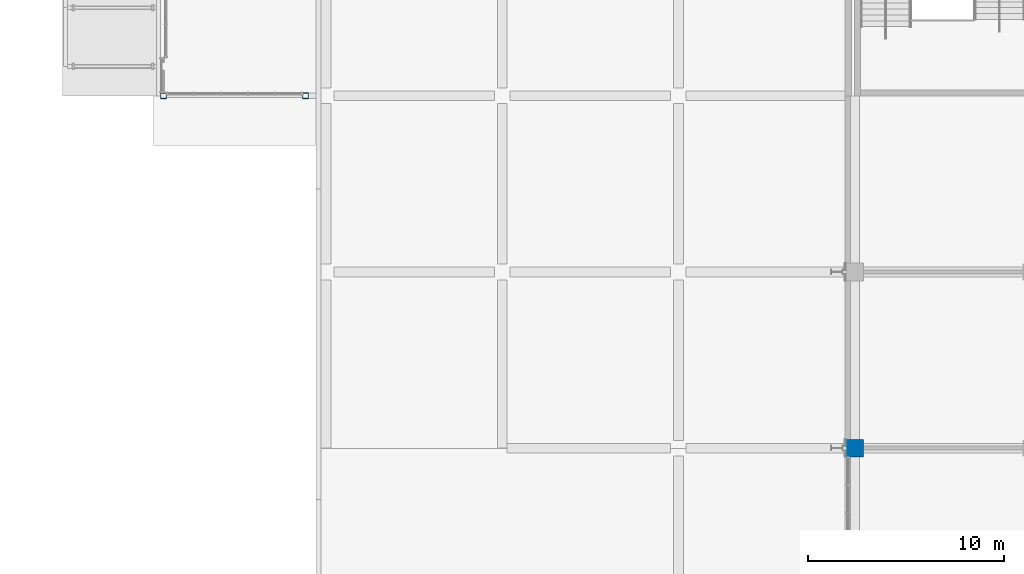
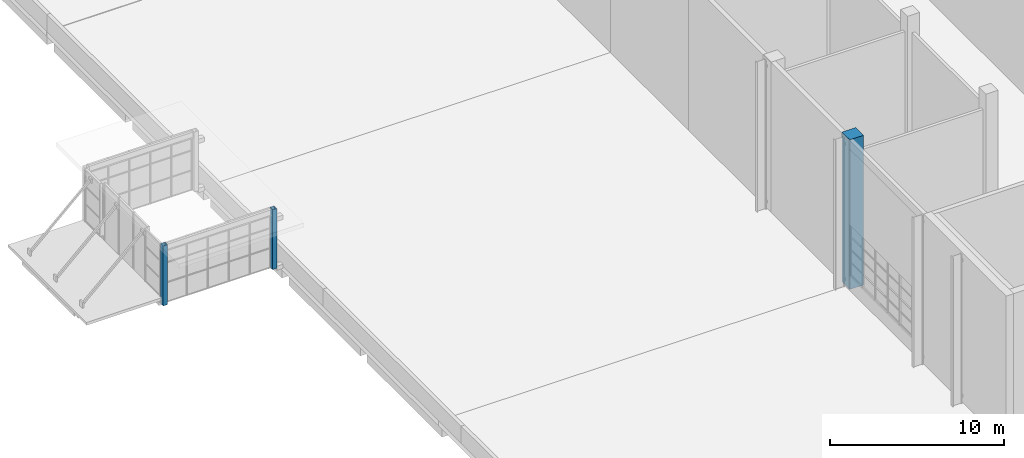
# One storey, part 1 of 182: 3 columns.
"""IFC4 building model written with IfcOpenShell, lengths in metres."""

from ifc_helpers import new_model, si_unit, direction, frame, origin, origin_2d, place, context, subcontext, project, spatial, rectangle, hollow_rectangle, extrude, material, material_profile, profile_set, type_object, element, save


model = new_model("IFC4")

# Units and contexts
model_context = context("Model", 3, precision=1e-05, world=origin(), true_north=direction((0.0, 1.0)))
body_context = subcontext(model_context, "Body", "Model", "MODEL_VIEW")
ifc_project = project(units=[si_unit("LENGTHUNIT", "METRE"), si_unit("AREAUNIT", "SQUARE_METRE"), si_unit("VOLUMEUNIT", "CUBIC_METRE"), si_unit("PLANEANGLEUNIT", "RADIAN"), si_unit("MASSUNIT", "GRAM", prefix="KILO")], contexts=[model_context])

# Site, building, storey
site_placement = place(None, origin())
site = spatial("IfcSite", under=ifc_project, at=site_placement, CompositionType="ELEMENT")
building_placement = place(site_placement, origin())
building = spatial("IfcBuilding", under=site, at=building_placement, Name="Silverbay Arena", CompositionType="ELEMENT")
storey_placement = place(building_placement, frame((0.0, 0.0, 11.5)))
storey = spatial("IfcBuildingStorey", under=building, at=storey_placement, Name="L02", CompositionType="ELEMENT", Elevation=11.5)

# Columns
ifc_material_1 = material(Name="Steel S355", Category="steel")
ifc_material_profile_1 = material_profile(ifc_material_1, hollow_rectangle(XDim=0.300048828125, YDim=0.300048828125, WallThickness=0.012451171875, at=origin_2d()), Name="SHS 300x300x12.5")
ifc_profile_set_1 = profile_set([ifc_material_profile_1], Name="Steel S355")
column_type_1 = type_object("IfcColumnType", Name="Hall column SHS 300x300x12.5", PredefinedType="COLUMN", material=ifc_profile_set_1)
for number, where, z_axis, x_axis, name in (
    (1, (18.699951171875, 54.0, 0.0), (0.0, 0.0, 1.0), (1.0, 0.0, 0.0), "West entrance hall W0 column F1"),
    (2, (25.949951171875, 54.0, 0.0), (0.0, 0.0, 1.0), (1.0, 0.0, 0.0), "West entrance hall W0 column B1"),
):
    element("IfcColumn", number, at=place(storey_placement, frame(where, z_axis=z_axis, x_axis=x_axis)), inside=storey, type_object=column_type_1, Name=name, PredefinedType="COLUMN", context=body_context, shape_type="SweptSolid", body=[
        extrude(hollow_rectangle(XDim=0.300048828125, YDim=0.300048828125, WallThickness=0.012451171875, at=origin_2d()), origin(), (0.0, 0.0, 1.0), 4.199951171875),
    ])
ifc_material_2 = material(Name="Concrete Grade C45", Category="concrete")
ifc_material_profile_2 = material_profile(ifc_material_2, rectangle(XDim=0.89990234375, YDim=0.89990234375, at=origin_2d()), Name="RC 900x900")
ifc_profile_set_2 = profile_set([ifc_material_profile_2], Name="Concrete Grade C45")
column_type_2 = type_object("IfcColumnType", Name="RC column 900x900", PredefinedType="COLUMN", material=ifc_profile_set_2)
column_placement = place(storey_placement, frame((54.0, 36.0, 0.0), z_axis=(0.0, 0.0, 1.0), x_axis=(1.0, 0.0, 0.0)))
element("IfcColumn", 3, at=column_placement, inside=storey, type_object=column_type_2, Name="Column 7/E L02", PredefinedType="COLUMN", context=body_context, shape_type="SweptSolid", body=[
    extrude(rectangle(XDim=0.89990234375, YDim=0.89990234375, at=origin_2d()), origin(), (0.0, 0.0, 1.0), 10.5),
])

save(model, "model.ifc")
